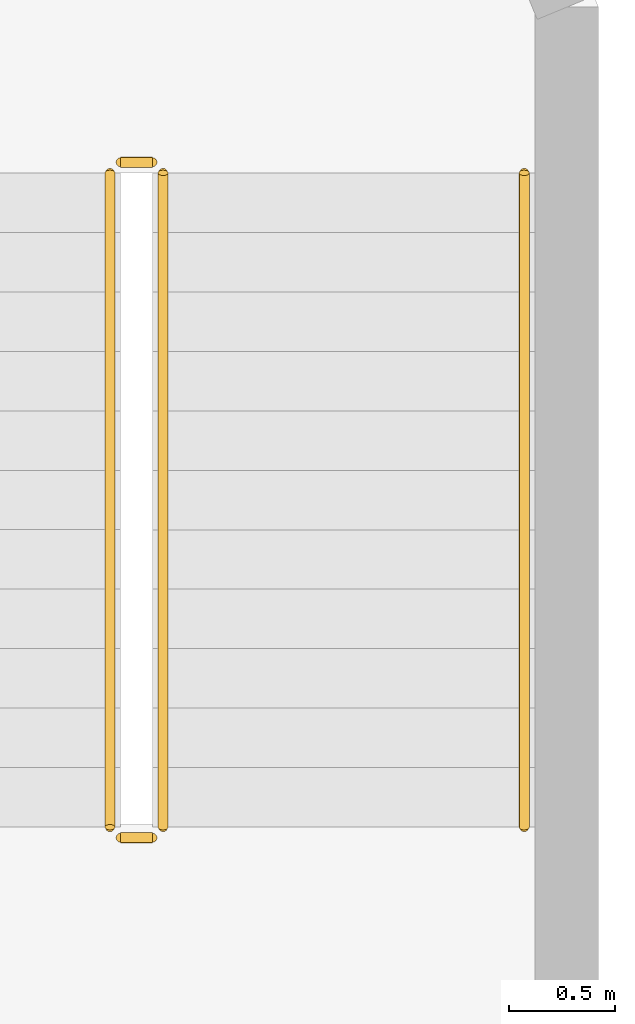
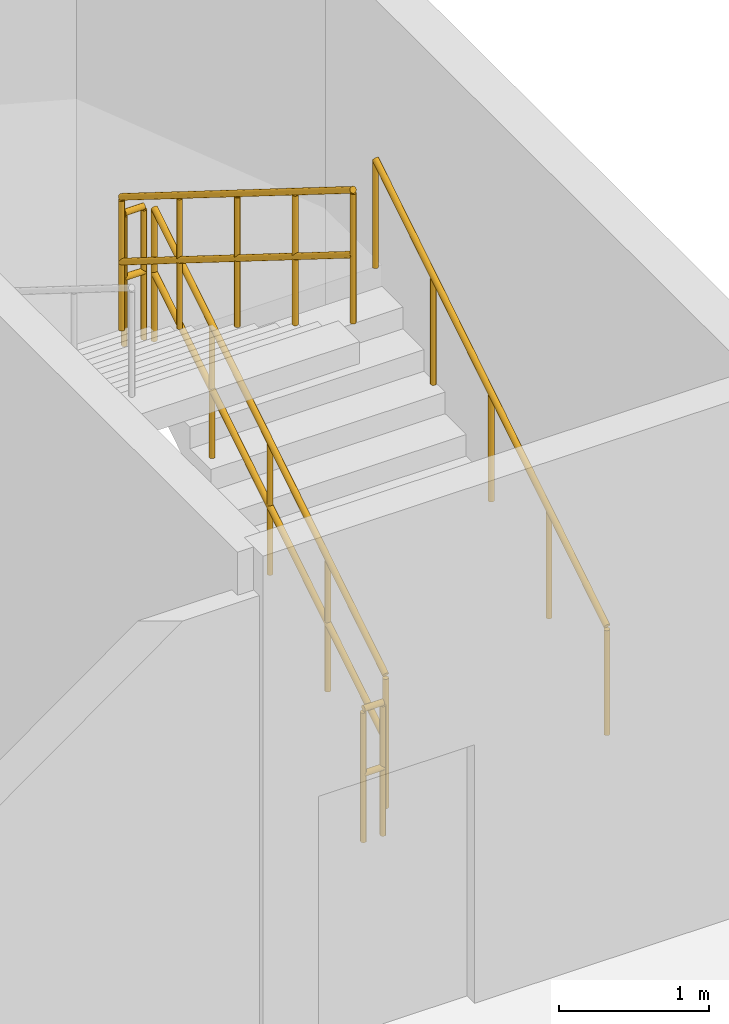
# One storey, part 45 of 45: 5 railings.
"""IFC4 building model written with IfcOpenShell, lengths in metres."""

from ifc_helpers import new_model, si_unit, direction, frame, origin, origin_2d, place, context, subcontext, project, spatial, circle, extrude, material, type_object, element, save


model = new_model("IFC4")

# Units and contexts
model_context = context("Model", 3, precision=1e-05, world=origin(), true_north=direction((0.0, 1.0)))
body_context = subcontext(model_context, "Body", "Model", "MODEL_VIEW")
ifc_project = project(units=[si_unit("LENGTHUNIT", "METRE"), si_unit("AREAUNIT", "SQUARE_METRE"), si_unit("VOLUMEUNIT", "CUBIC_METRE"), si_unit("PLANEANGLEUNIT", "RADIAN"), si_unit("MASSUNIT", "GRAM", prefix="KILO")], contexts=[model_context])

# Site, building, storey
site_placement = place(None, origin())
site = spatial("IfcSite", under=ifc_project, at=site_placement, CompositionType="ELEMENT")
building_placement = place(site_placement, origin())
building = spatial("IfcBuilding", under=site, at=building_placement, Name="Nakaniwa Court", CompositionType="ELEMENT")
storey_placement = place(building_placement, frame((0.0, 0.0, 11.39990234375)))
storey = spatial("IfcBuildingStorey", under=building, at=storey_placement, Name="L02", CompositionType="ELEMENT", Elevation=11.39990234375)

# Railings
ifc_material_1 = material(Name="Black powder-coated steel flat bar balustrade S275", Category="steel")
railing_type_1 = type_object("IfcRailingType", Name="Hall guard 1100", PredefinedType="GUARDRAIL", material=ifc_material_1)
railing_1_placement = place(storey_placement, frame((215.949951171875, 97.139892578125, 0.175048828125)))
element("IfcRailing", 1, at=railing_1_placement, inside=storey, type_object=railing_type_1, Name="L02 ST-H4 stair guard 1", PredefinedType="GUARDRAIL", context=body_context, shape_type="SweptSolid", body=[
    extrude(circle(Radius=0.02392578125, at=origin_2d()), frame((0.0, 0.0, 1.076171875), z_axis=(0.0, 0.847998304005, 0.529998940003), x_axis=(-1.0, 0.0, 0.0)), (0.0, 0.0, 1.0), 3.632080078125),
    extrude(circle(Radius=0.02392578125, at=origin_2d()), frame((0.0, 0.0, 0.550048828125), z_axis=(0.0, 0.847998304005, 0.529998940003), x_axis=(-1.0, 0.0, 0.0)), (0.0, 0.0, 1.0), 3.632080078125),
    extrude(circle(Radius=0.02099609375, at=origin_2d()), origin(), (0.0, 0.0, 1.0), 1.052001953125),
    extrude(circle(Radius=0.02099609375, at=origin_2d()), frame((0.0, 0.77001953125, 0.481201171875)), (0.0, 0.0, 1.0), 1.052001953125),
    extrude(circle(Radius=0.02099609375, at=origin_2d()), frame((0.0, 1.5400390625, 0.96240234375)), (0.0, 0.0, 1.0), 1.052001953125),
    extrude(circle(Radius=0.02099609375, at=origin_2d()), frame((0.0, 2.31005859375, 1.44384765625)), (0.0, 0.0, 1.0), 1.052001953125),
    extrude(circle(Radius=0.02099609375, at=origin_2d()), frame((0.0, 3.080078125, 1.925048828125)), (0.0, 0.0, 1.0), 1.052001953125),
])
railing_2_placement = place(storey_placement, frame((215.89990234375, 100.27001953125, 2.10009765625)))
element("IfcRailing", 2, at=railing_2_placement, inside=storey, type_object=railing_type_1, Name="L02 ST-H4 stair guard 2", PredefinedType="GUARDRAIL", context=body_context, shape_type="SweptSolid", body=[
    extrude(circle(Radius=0.02392578125, at=origin_2d()), frame((0.0, 0.0, 1.076171875), z_axis=(-1.0, 0.0, 0.0), x_axis=(0.0, -1.0, 0.0)), (0.0, 0.0, 1.0), 0.14990234375),
    extrude(circle(Radius=0.02392578125, at=origin_2d()), frame((0.0, 0.0, 0.550048828125), z_axis=(-1.0, 0.0, 0.0), x_axis=(0.0, -1.0, 0.0)), (0.0, 0.0, 1.0), 0.14990234375),
    extrude(circle(Radius=0.02099609375, at=origin_2d()), origin(), (0.0, 0.0, 1.0), 1.052001953125),
    extrude(circle(Radius=0.02099609375, at=origin_2d()), frame((-0.14990234375, 0.0, 0.0)), (0.0, 0.0, 1.0), 1.052001953125),
])
railing_3_placement = place(storey_placement, frame((215.699951171875, 100.219970703125, 2.275146484375)))
element("IfcRailing", 3, at=railing_3_placement, inside=storey, type_object=railing_type_1, Name="L02 ST-H4 stair guard 3", PredefinedType="GUARDRAIL", context=body_context, shape_type="SweptSolid", body=[
    extrude(circle(Radius=0.02392578125, at=origin_2d()), frame((0.0, 0.0, 1.076171875), z_axis=(0.0, -0.847998304005, 0.529998940003), x_axis=(1.0, 0.0, 0.0)), (0.0, 0.0, 1.0), 3.632080078125),
    extrude(circle(Radius=0.02392578125, at=origin_2d()), frame((0.0, 0.0, 0.550048828125), z_axis=(0.0, -0.847998304005, 0.529998940003), x_axis=(1.0, 0.0, 0.0)), (0.0, 0.0, 1.0), 3.632080078125),
    extrude(circle(Radius=0.02099609375, at=origin_2d()), origin(), (0.0, 0.0, 1.0), 1.052001953125),
    extrude(circle(Radius=0.02099609375, at=origin_2d()), frame((0.0, -0.77001953125, 0.481201171875)), (0.0, 0.0, 1.0), 1.052001953125),
    extrude(circle(Radius=0.02099609375, at=origin_2d()), frame((0.0, -1.5400390625, 0.96240234375)), (0.0, 0.0, 1.0), 1.052001953125),
    extrude(circle(Radius=0.02099609375, at=origin_2d()), frame((0.0, -2.31005859375, 1.44384765625)), (0.0, 0.0, 1.0), 1.052001953125),
    extrude(circle(Radius=0.02099609375, at=origin_2d()), frame((0.0, -3.080078125, 1.925048828125)), (0.0, 0.0, 1.0), 1.052001953125),
])
railing_4_placement = place(storey_placement, frame((215.89990234375, 97.090087890625, 0.0)))
element("IfcRailing", 4, at=railing_4_placement, inside=storey, type_object=railing_type_1, Name="L02 ST-H4 stair guard 4", PredefinedType="GUARDRAIL", context=body_context, shape_type="SweptSolid", body=[
    extrude(circle(Radius=0.02392578125, at=origin_2d()), frame((0.0, 0.0, 1.076171875), z_axis=(-1.0, 0.0, 0.0), x_axis=(0.0, -1.0, 0.0)), (0.0, 0.0, 1.0), 0.14990234375),
    extrude(circle(Radius=0.02392578125, at=origin_2d()), frame((0.0, 0.0, 0.550048828125), z_axis=(-1.0, 0.0, 0.0), x_axis=(0.0, -1.0, 0.0)), (0.0, 0.0, 1.0), 0.14990234375),
    extrude(circle(Radius=0.02099609375, at=origin_2d()), origin(), (0.0, 0.0, 1.0), 1.052001953125),
    extrude(circle(Radius=0.02099609375, at=origin_2d()), frame((-0.14990234375, 0.0, 0.0)), (0.0, 0.0, 1.0), 1.052001953125),
])
ifc_material_2 = material(Name="Brushed stainless steel handrail Grade 304", Category="steel")
railing_type_2 = type_object("IfcRailingType", Name="Hall stair handrail 900", PredefinedType="HANDRAIL", material=ifc_material_2)
railing_5_placement = place(storey_placement, frame((217.64990234375, 97.139892578125, 0.175048828125)))
element("IfcRailing", 5, at=railing_5_placement, inside=storey, type_object=railing_type_2, Name="L02 ST-H4 stair handrail 1", PredefinedType="HANDRAIL", context=body_context, shape_type="SweptSolid", body=[
    extrude(circle(Radius=0.02392578125, at=origin_2d()), frame((0.0, 0.0, 0.8759765625), z_axis=(0.0, 0.847998304005, 0.529998940003), x_axis=(-1.0, 0.0, 0.0)), (0.0, 0.0, 1.0), 3.632080078125),
    extrude(circle(Radius=0.02099609375, at=origin_2d()), origin(), (0.0, 0.0, 1.0), 0.851806640625),
    extrude(circle(Radius=0.02099609375, at=origin_2d()), frame((0.0, 0.77001953125, 0.481201171875)), (0.0, 0.0, 1.0), 0.851806640625),
    extrude(circle(Radius=0.02099609375, at=origin_2d()), frame((0.0, 1.5400390625, 0.96240234375)), (0.0, 0.0, 1.0), 0.851806640625),
    extrude(circle(Radius=0.02099609375, at=origin_2d()), frame((0.0, 2.31005859375, 1.44384765625)), (0.0, 0.0, 1.0), 0.851806640625),
    extrude(circle(Radius=0.02099609375, at=origin_2d()), frame((0.0, 3.080078125, 1.925048828125)), (0.0, 0.0, 1.0), 0.851806640625),
])

save(model, "model.ifc")
